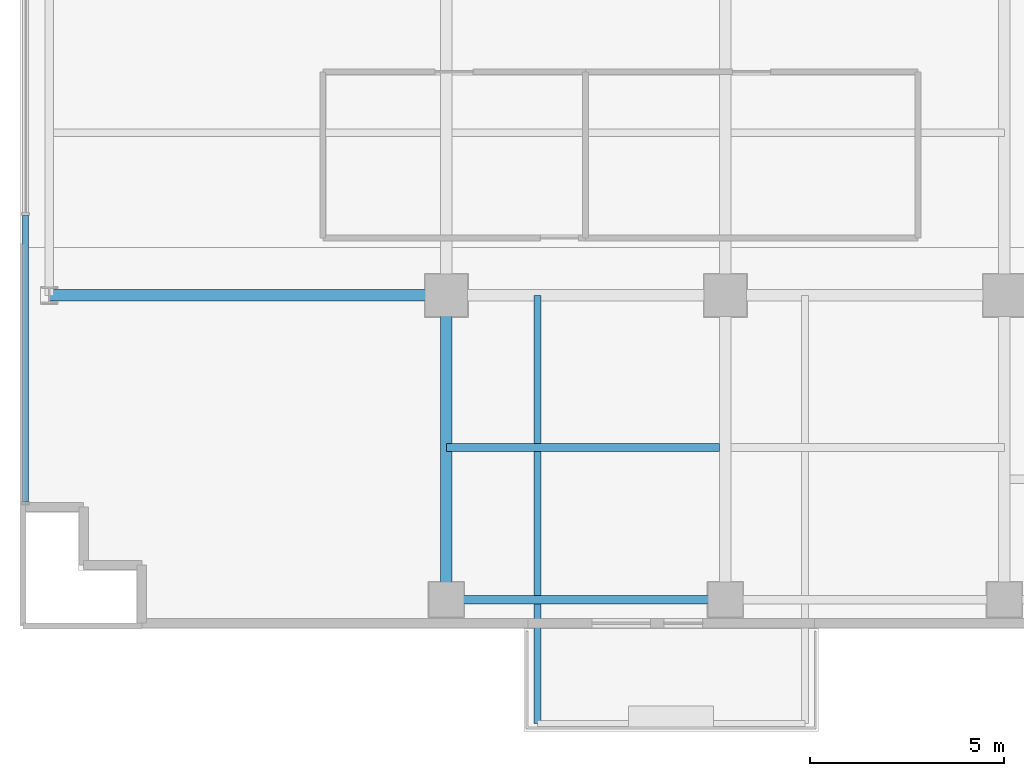
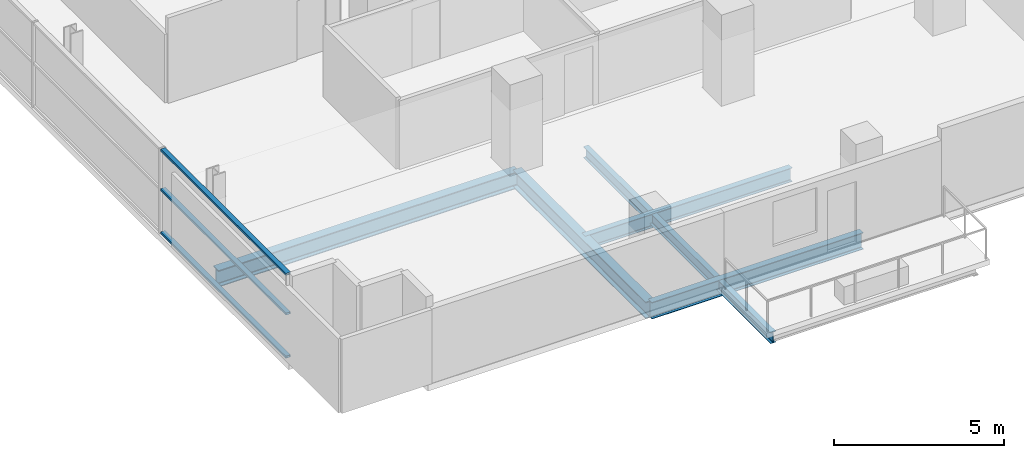
# One storey, part 3 of 30: 5 beams, 3 members, 1 element without a shape of its own.
"""IFC4 building model written with IfcOpenShell, lengths in metres."""

from ifc_helpers import new_model, si_unit, direction, frame, origin, origin_2d, place, context, subcontext, project, spatial, hollow_rectangle, i_section, extrude, source, transform, mapped, material, layer, layer_set, material_profile, profile_set, type_object, element, aggregate, save


model = new_model("IFC4")

# Units and contexts
model_context = context("Model", 3, precision=1e-05, world=origin(), true_north=direction((0.0, 1.0)))
body_context = subcontext(model_context, "Body", "Model", "MODEL_VIEW")
ifc_project = project(units=[si_unit("LENGTHUNIT", "METRE"), si_unit("AREAUNIT", "SQUARE_METRE"), si_unit("VOLUMEUNIT", "CUBIC_METRE"), si_unit("PLANEANGLEUNIT", "RADIAN"), si_unit("MASSUNIT", "GRAM", prefix="KILO")], contexts=[model_context])

# Site, building, storey
site_placement = place(None, origin())
site = spatial("IfcSite", under=ifc_project, at=site_placement, CompositionType="ELEMENT")
building_placement = place(site_placement, origin())
building = spatial("IfcBuilding", under=site, at=building_placement, Name="Zarnakvel Exchange Tower", CompositionType="ELEMENT")
storey_placement = place(building_placement, frame((0.0, 0.0, 43.89990234375)))
storey = spatial("IfcBuildingStorey", under=building, at=storey_placement, Name="L11", CompositionType="ELEMENT", Elevation=43.89990234375)

# Beams
ifc_material_1 = material(Name="Steel S355", Category="steel")
ifc_material_profile_1 = material_profile(ifc_material_1, i_section(OverallWidth=0.199951171875, OverallDepth=0.5, WebThickness=0.01025390625, FlangeThickness=0.01611328125, FilletRadius=0.02099609375, at=origin_2d()))
ifc_profile_set_1 = profile_set([ifc_material_profile_1], Name="Steel S355")
beam_type_1 = type_object("IfcBeamType", Name="B-04", PredefinedType="JOIST", material=ifc_profile_set_1)
beam_1_placement = place(storey_placement, frame((-21.60009765625, -13.52490234375, -0.474853515625), z_axis=(1.0, 0.0, 0.0), x_axis=(0.0, 1.0, 0.0)))
element("IfcBeam", 1, at=beam_1_placement, inside=storey, type_object=beam_type_1, Name="L11 Composite Floor Secondary Joist", PredefinedType="JOIST", context=body_context, shape_type="SweptSolid", body=[
    extrude(i_section(OverallWidth=0.199951171875, OverallDepth=0.5, WebThickness=0.01025390625, FlangeThickness=0.01611328125, FilletRadius=0.02099609375, at=origin_2d()), origin(), (0.0, 0.0, 1.0), 7.050048828125),
])
ifc_material_profile_2 = material_profile(ifc_material_1, i_section(OverallWidth=0.179931640625, OverallDepth=0.39990234375, WebThickness=0.008544921875, FlangeThickness=0.013427734375, FilletRadius=0.02099609375, at=origin_2d()))
ifc_profile_set_2 = profile_set([ifc_material_profile_2], Name="Steel S355")
beam_type_2 = type_object("IfcBeamType", Name="B-06", PredefinedType="JOIST", material=ifc_profile_set_2)
beam_2_placement = place(storey_placement, frame((-19.25, -9.60009765625, -0.4248046875), z_axis=(0.0, -1.0, 0.0), x_axis=(1.0, 0.0, 0.0)))
element("IfcBeam", 2, at=beam_2_placement, inside=storey, type_object=beam_type_2, Name="L11 Continuous Back-Spanned Balcony Beam W", PredefinedType="JOIST", context=body_context, shape_type="SweptSolid", body=[
    extrude(i_section(OverallWidth=0.179931640625, OverallDepth=0.39990234375, WebThickness=0.008544921875, FlangeThickness=0.013427734375, FilletRadius=0.02099609375, at=origin_2d()), origin(), (0.0, 0.0, 1.0), 11.0498046875),
])
ifc_material_profile_3 = material_profile(ifc_material_1, i_section(OverallWidth=0.300048828125, OverallDepth=0.60009765625, WebThickness=0.015380859375, FlangeThickness=0.030029296875, FilletRadius=0.027099609375, at=origin_2d()))
ifc_profile_set_3 = profile_set([ifc_material_profile_3], Name="Steel S355")
beam_type_3 = type_object("IfcBeamType", Name="G-04", PredefinedType="BEAM", material=ifc_profile_set_3)
beam_3_placement = place(storey_placement, frame((-31.85009765625, -9.60009765625, -0.52490234375), z_axis=(1.0, 0.0, 0.0), x_axis=(0.0, 1.0, 0.0)))
element("IfcBeam", 3, at=beam_3_placement, inside=storey, type_object=beam_type_3, Name="L11 Tower E-W Frame Beam", PredefinedType="BEAM", context=body_context, shape_type="SweptSolid", body=[
    extrude(i_section(OverallWidth=0.300048828125, OverallDepth=0.60009765625, WebThickness=0.015380859375, FlangeThickness=0.030029296875, FilletRadius=0.027099609375, at=origin_2d()), origin(), (0.0, 0.0, 1.0), 10.25),
])
beam_4_placement = place(storey_placement, frame((-21.60009765625, -17.449951171875, -0.52490234375), z_axis=(0.0, 1.0, 0.0), x_axis=(-1.0, 0.0, 0.0)))
element("IfcBeam", 4, at=beam_4_placement, inside=storey, type_object=beam_type_3, Name="L11 Tower N-S Frame Beam", PredefinedType="BEAM", context=body_context, shape_type="SweptSolid", body=[
    extrude(i_section(OverallWidth=0.300048828125, OverallDepth=0.60009765625, WebThickness=0.015380859375, FlangeThickness=0.030029296875, FilletRadius=0.027099609375, at=origin_2d()), origin(), (0.0, 0.0, 1.0), 7.849853515625),
])
ifc_material_profile_4 = material_profile(ifc_material_1, i_section(OverallWidth=0.219970703125, OverallDepth=0.60009765625, WebThickness=0.011962890625, FlangeThickness=0.01904296875, FilletRadius=0.02392578125, at=origin_2d()))
ifc_profile_set_4 = profile_set([ifc_material_profile_4], Name="Steel S355")
beam_type_4 = type_object("IfcBeamType", Name="SP-01", PredefinedType="SPANDREL", material=ifc_profile_set_4)
beam_5_placement = place(storey_placement, frame((-21.60009765625, -17.449951171875, -0.52490234375), z_axis=(1.0, 0.0, 0.0), x_axis=(0.0, 1.0, 0.0)))
element("IfcBeam", 5, at=beam_5_placement, inside=storey, type_object=beam_type_4, Name="L11 Tower E-W Frame Beam", PredefinedType="SPANDREL", context=body_context, shape_type="SweptSolid", body=[
    extrude(i_section(OverallWidth=0.219970703125, OverallDepth=0.60009765625, WebThickness=0.011962890625, FlangeThickness=0.01904296875, FilletRadius=0.02392578125, at=origin_2d()), origin(), (0.0, 0.0, 1.0), 7.2001953125),
])

# Curtain wall, members
ifc_material_2 = material(Name="Architectural Bronze Anodised Aluminium", Category="aluminium")
ifc_layer = layer(ifc_material_2, 0.199951171875)
ifc_layer_set = layer_set([ifc_layer], Name="Architectural Bronze Anodised Aluminium")
curtain_wall_type = type_object("IfcCurtainWallType", Name="CW-04", PredefinedType="NOTDEFINED", material=ifc_layer_set)
curtain_wall_placement = place(storey_placement, origin())
curtain_wall = element("IfcCurtainWall", 6, at=curtain_wall_placement, inside=storey, type_object=curtain_wall_type, Name="L11 Curtain Wall CW-L11-W1 (CW-04)", PredefinedType="NOTDEFINED")
ifc_material_profile_5 = material_profile(ifc_material_2, hollow_rectangle(XDim=0.159912109375, YDim=0.074951171875, WallThickness=0.00390625, at=origin_2d()))
ifc_profile_set_5 = profile_set([ifc_material_profile_5], Name="Architectural Bronze Anodised Aluminium")
member_type = type_object("IfcMemberType", Name="CWT-04", PredefinedType="USERDEFINED", material=ifc_profile_set_5)
shared_shape = source(origin(), body_context, "Body", "SweptSolid", [
    extrude(hollow_rectangle(XDim=0.159912109375, YDim=0.074951171875, WallThickness=0.00390625, at=origin_2d()), origin(), (0.0, 0.0, 1.0), 7.387451171875),
])
member_1_placement = place(storey_placement, frame((-32.4599609375, -14.925048828125, 0.03759765625), z_axis=(0.0, 1.0, 0.0), x_axis=(-1.0, 0.0, 0.0)))
member_1 = element("IfcMember", 7, at=member_1_placement, type_object=member_type, Name="CW-04 transom 1.1", ObjectType="TRANSOM", PredefinedType="USERDEFINED", context=body_context, shape_type="MappedRepresentation", body=[
    mapped(shared_shape, transform((0.0, 0.0, 0.0), x_axis=(1.0, 0.0, 0.0), y_axis=(0.0, 1.0, 0.0), z_axis=(0.0, 0.0, 1.0), scale=1.0)),
])
member_2_placement = place(storey_placement, frame((-32.4599609375, -14.925048828125, 1.588623046875), z_axis=(0.0, 1.0, 0.0), x_axis=(-1.0, 0.0, 0.0)))
member_2 = element("IfcMember", 8, at=member_2_placement, type_object=member_type, Name="CW-04 transom 1.2", ObjectType="TRANSOM", PredefinedType="USERDEFINED", context=body_context, shape_type="MappedRepresentation", body=[
    mapped(shared_shape, transform((0.0, 0.0, 0.0), x_axis=(1.0, 0.0, 0.0), y_axis=(0.0, 1.0, 0.0), z_axis=(0.0, 0.0, 1.0), scale=1.0)),
])
member_3_placement = place(storey_placement, frame((-32.4599609375, -14.925048828125, 3.017578125), z_axis=(0.0, 1.0, 0.0), x_axis=(-1.0, 0.0, 0.0)))
member_3 = element("IfcMember", 9, at=member_3_placement, type_object=member_type, Name="CW-04 transom 1.3", ObjectType="TRANSOM", PredefinedType="USERDEFINED", context=body_context, shape_type="MappedRepresentation", body=[
    mapped(shared_shape, transform((0.0, 0.0, 0.0), x_axis=(1.0, 0.0, 0.0), y_axis=(0.0, 1.0, 0.0), z_axis=(0.0, 0.0, 1.0), scale=1.0)),
])
aggregate(curtain_wall, [member_1, member_2, member_3])

save(model, "model.ifc")
